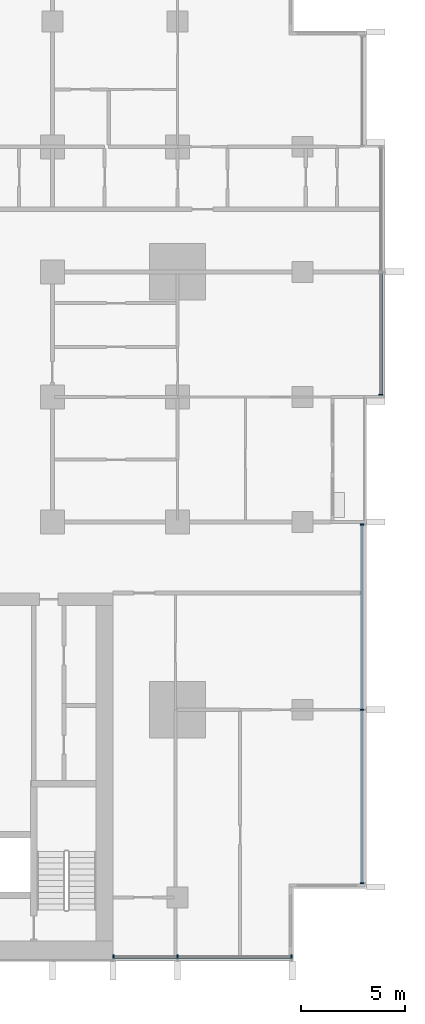
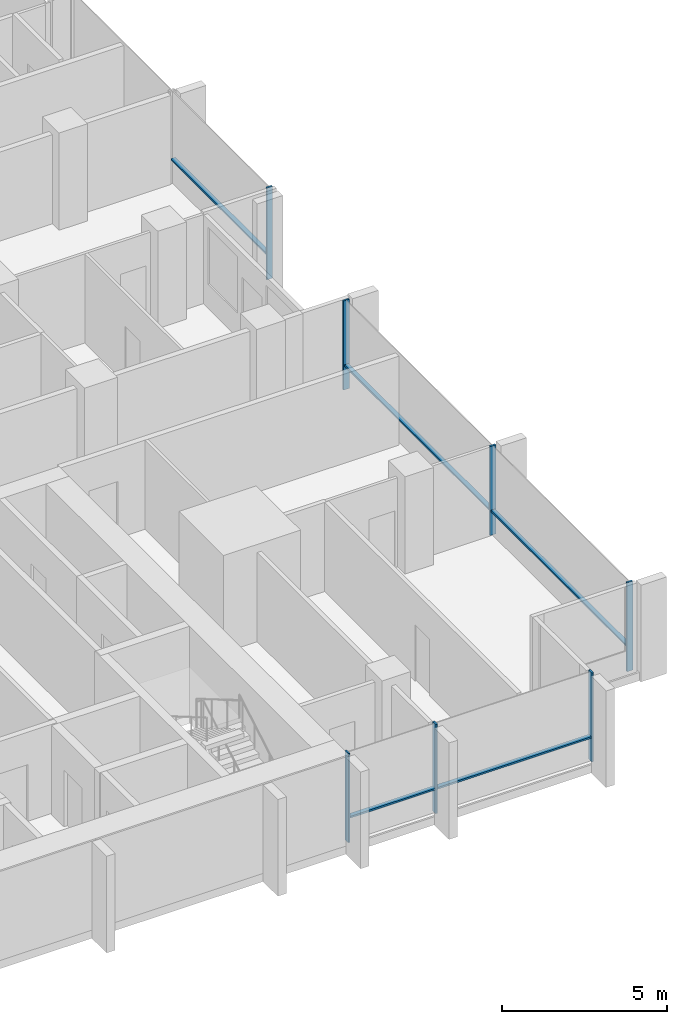
# One storey, part 3 of 18: 12 members, 3 elements without a shape of their own.
"""IFC4 building model written with IfcOpenShell, lengths in metres."""

from ifc_helpers import new_model, si_unit, direction, frame, origin, origin_2d, place, context, subcontext, project, spatial, rectangle, extrude, material, material_profile, profile_set, type_object, element, aggregate, save


model = new_model("IFC4")

# Units and contexts
model_context = context("Model", 3, precision=1e-05, world=origin(), true_north=direction((0.0, 1.0)))
body_context = subcontext(model_context, "Body", "Model", "MODEL_VIEW")
ifc_project = project(units=[si_unit("LENGTHUNIT", "METRE"), si_unit("AREAUNIT", "SQUARE_METRE"), si_unit("VOLUMEUNIT", "CUBIC_METRE"), si_unit("PLANEANGLEUNIT", "RADIAN"), si_unit("MASSUNIT", "GRAM", prefix="KILO")], contexts=[model_context])

# Site, building, storey
site_placement = place(None, origin())
site = spatial("IfcSite", under=ifc_project, at=site_placement, CompositionType="ELEMENT")
building_placement = place(site_placement, origin())
building = spatial("IfcBuilding", under=site, at=building_placement, Name="Finial Court Residences", CompositionType="ELEMENT")
storey_placement = place(building_placement, frame((0.0, 0.0, 106.300048828125)))
storey = spatial("IfcBuildingStorey", under=building, at=storey_placement, Name="L26", CompositionType="ELEMENT", Elevation=106.300048828125)

# Curtain wall, members
ifc_material = material(Name="Bronze anodised aluminium", Category="aluminium")
curtain_wall_type = type_object("IfcCurtainWallType", Name="Unitised curtain wall, lower and middle zones", PredefinedType="NOTDEFINED", material=ifc_material)
curtain_wall_1_placement = place(storey_placement, origin())
curtain_wall_1 = element("IfcCurtainWall", 1, at=curtain_wall_1_placement, inside=storey, type_object=curtain_wall_type, Name="E-L26-CW-E6", PredefinedType="NOTDEFINED")
ifc_material_profile_1 = material_profile(ifc_material, rectangle(XDim=0.199951171875, YDim=0.06494140625, at=origin_2d()), Name="CW1 mullion 65 x 200")
ifc_profile_set_1 = profile_set([ifc_material_profile_1], Name="Bronze anodised aluminium")
member_type_1 = type_object("IfcMemberType", Name="CW1 mullion 65 x 200", PredefinedType="MULLION", material=ifc_profile_set_1)
member_1_placement = place(storey_placement, frame((25.35009765625, -21.8173828125, 0.0), z_axis=(0.0, 0.0, 1.0), x_axis=(-1.0, 0.0, 0.0)))
member_1 = element("IfcMember", 2, at=member_1_placement, type_object=member_type_1, Name="CW1 mullion 1", PredefinedType="MULLION", context=body_context, shape_type="SweptSolid", body=[
    extrude(rectangle(XDim=0.199951171875, YDim=0.06494140625, at=origin_2d()), origin(), (0.0, 0.0, 1.0), 3.300048828125),
])
member_2_placement = place(storey_placement, frame((25.35009765625, -13.5, 0.0), z_axis=(0.0, 0.0, 1.0), x_axis=(-1.0, 0.0, 0.0)))
member_2 = element("IfcMember", 3, at=member_2_placement, type_object=member_type_1, Name="CW1 mullion 2", PredefinedType="MULLION", context=body_context, shape_type="SweptSolid", body=[
    extrude(rectangle(XDim=0.199951171875, YDim=0.06494140625, at=origin_2d()), origin(), (0.0, 0.0, 1.0), 3.300048828125),
])
member_3_placement = place(storey_placement, frame((25.35009765625, -4.607421875, 0.0), z_axis=(0.0, 0.0, 1.0), x_axis=(-1.0, 0.0, 0.0)))
member_3 = element("IfcMember", 4, at=member_3_placement, type_object=member_type_1, Name="CW1 mullion 3", PredefinedType="MULLION", context=body_context, shape_type="SweptSolid", body=[
    extrude(rectangle(XDim=0.199951171875, YDim=0.06494140625, at=origin_2d()), origin(), (0.0, 0.0, 1.0), 3.300048828125),
])

# Curtain wall, member
curtain_wall_2_placement = place(storey_placement, origin())
curtain_wall_2 = element("IfcCurtainWall", 5, at=curtain_wall_2_placement, inside=storey, type_object=curtain_wall_type, Name="E-L26-CW-E7", PredefinedType="NOTDEFINED")
member_4_placement = place(storey_placement, frame((26.25, 1.607421875, 0.0), z_axis=(0.0, 0.0, 1.0), x_axis=(-1.0, 0.0, 0.0)))
member_4 = element("IfcMember", 6, at=member_4_placement, type_object=member_type_1, Name="CW1 mullion 1", PredefinedType="MULLION", context=body_context, shape_type="SweptSolid", body=[
    extrude(rectangle(XDim=0.199951171875, YDim=0.06494140625, at=origin_2d()), origin(), (0.0, 0.0, 1.0), 3.39990234375),
])

# Curtain wall, members
curtain_wall_3_placement = place(storey_placement, origin())
curtain_wall_3 = element("IfcCurtainWall", 7, at=curtain_wall_3_placement, inside=storey, type_object=curtain_wall_type, Name="E-L26-CW-S11", PredefinedType="NOTDEFINED")
member_5_placement = place(storey_placement, frame((13.4326171875, -25.35009765625, 0.0), z_axis=(0.0, 0.0, 1.0), x_axis=(0.0, 1.0, 0.0)))
member_5 = element("IfcMember", 8, at=member_5_placement, type_object=member_type_1, Name="CW1 mullion 1", PredefinedType="MULLION", context=body_context, shape_type="SweptSolid", body=[
    extrude(rectangle(XDim=0.199951171875, YDim=0.06494140625, at=origin_2d()), origin(), (0.0, 0.0, 1.0), 3.300048828125),
])
member_6_placement = place(storey_placement, frame((16.5, -25.35009765625, 0.0), z_axis=(0.0, 0.0, 1.0), x_axis=(0.0, 1.0, 0.0)))
member_6 = element("IfcMember", 9, at=member_6_placement, type_object=member_type_1, Name="CW1 mullion 2", PredefinedType="MULLION", context=body_context, shape_type="SweptSolid", body=[
    extrude(rectangle(XDim=0.199951171875, YDim=0.06494140625, at=origin_2d()), origin(), (0.0, 0.0, 1.0), 3.300048828125),
])
member_7_placement = place(storey_placement, frame((21.967529296875, -25.35009765625, 0.0), z_axis=(0.0, 0.0, 1.0), x_axis=(0.0, 1.0, 0.0)))
member_7 = element("IfcMember", 10, at=member_7_placement, type_object=member_type_1, Name="CW1 mullion 3", PredefinedType="MULLION", context=body_context, shape_type="SweptSolid", body=[
    extrude(rectangle(XDim=0.199951171875, YDim=0.06494140625, at=origin_2d()), origin(), (0.0, 0.0, 1.0), 3.300048828125),
])

# Member
ifc_material_profile_2 = material_profile(ifc_material, rectangle(XDim=0.14990234375, YDim=0.06494140625, at=origin_2d()), Name="CW1 transom 65 x 150")
ifc_profile_set_2 = profile_set([ifc_material_profile_2], Name="Bronze anodised aluminium")
member_type_2 = type_object("IfcMemberType", Name="CW1 transom 65 x 150", PredefinedType="USERDEFINED", material=ifc_profile_set_2)
member_8_placement = place(storey_placement, frame((25.35009765625, -21.784912109375, 0.89990234375), z_axis=(0.0, 1.0, 0.0), x_axis=(-1.0, 0.0, 0.0)))
member_8 = element("IfcMember", 11, at=member_8_placement, type_object=member_type_2, Name="CW1 transom 1.1", ObjectType="TRANSOM", PredefinedType="USERDEFINED", context=body_context, shape_type="SweptSolid", body=[
    extrude(rectangle(XDim=0.14990234375, YDim=0.06494140625, at=origin_2d()), origin(), (0.0, 0.0, 1.0), 8.25244140625),
])

member_9_placement = place(storey_placement, frame((25.35009765625, -13.467529296875, 0.89990234375), z_axis=(0.0, 1.0, 0.0), x_axis=(-1.0, 0.0, 0.0)))
member_9 = element("IfcMember", 12, at=member_9_placement, type_object=member_type_2, Name="CW1 transom 2.1", ObjectType="TRANSOM", PredefinedType="USERDEFINED", context=body_context, shape_type="SweptSolid", body=[
    extrude(rectangle(XDim=0.14990234375, YDim=0.06494140625, at=origin_2d()), origin(), (0.0, 0.0, 1.0), 8.82763671875),
])

aggregate(curtain_wall_1, [member_1, member_2, member_3, member_8, member_9])

member_10_placement = place(storey_placement, frame((26.25, 1.639892578125, 0.89990234375), z_axis=(0.0, 1.0, 0.0), x_axis=(-1.0, 0.0, 0.0)))
member_10 = element("IfcMember", 13, at=member_10_placement, type_object=member_type_2, Name="CW1 transom 1.1", ObjectType="TRANSOM", PredefinedType="USERDEFINED", context=body_context, shape_type="SweptSolid", body=[
    extrude(rectangle(XDim=0.14990234375, YDim=0.06494140625, at=origin_2d()), origin(), (0.0, 0.0, 1.0), 5.795166015625),
])

aggregate(curtain_wall_2, [member_4, member_10])

member_11_placement = place(storey_placement, frame((13.465087890625, -25.35009765625, 0.89990234375), z_axis=(1.0, 0.0, 0.0), x_axis=(0.0, 1.0, 0.0)))
member_11 = element("IfcMember", 14, at=member_11_placement, type_object=member_type_2, Name="CW1 transom 1.1", ObjectType="TRANSOM", PredefinedType="USERDEFINED", context=body_context, shape_type="SweptSolid", body=[
    extrude(rectangle(XDim=0.14990234375, YDim=0.06494140625, at=origin_2d()), origin(), (0.0, 0.0, 1.0), 3.00244140625),
])

member_12_placement = place(storey_placement, frame((16.532470703125, -25.35009765625, 0.89990234375), z_axis=(1.0, 0.0, 0.0), x_axis=(0.0, 1.0, 0.0)))
member_12 = element("IfcMember", 15, at=member_12_placement, type_object=member_type_2, Name="CW1 transom 2.1", ObjectType="TRANSOM", PredefinedType="USERDEFINED", context=body_context, shape_type="SweptSolid", body=[
    extrude(rectangle(XDim=0.14990234375, YDim=0.06494140625, at=origin_2d()), origin(), (0.0, 0.0, 1.0), 5.402587890625),
])

aggregate(curtain_wall_3, [member_5, member_6, member_7, member_11, member_12])

save(model, "model.ifc")
